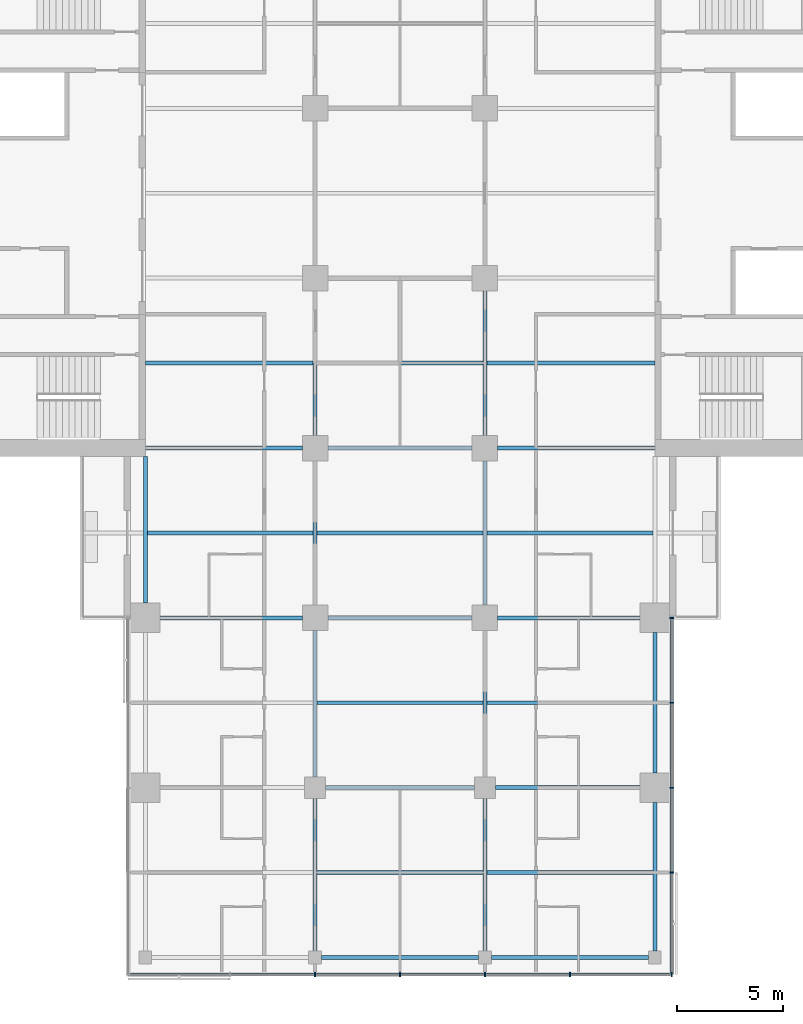
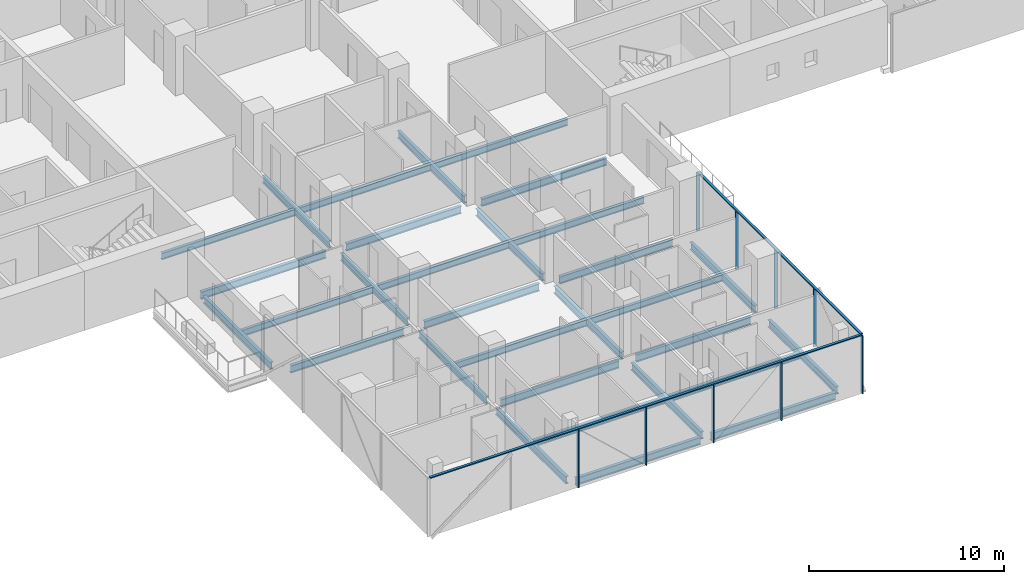
# One storey, part 4 of 29: 31 beams, 11 members, 2 elements without a shape of their own.
"""IFC4 building model written with IfcOpenShell, lengths in metres."""

from ifc_helpers import new_model, si_unit, direction, frame, origin, origin_2d, place, context, subcontext, project, spatial, rectangle, i_section, extrude, material, material_profile, profile_set, type_object, element, aggregate, save


model = new_model("IFC4")

# Units and contexts
model_context = context("Model", 3, precision=1e-05, world=origin(), true_north=direction((0.0, 1.0)))
body_context = subcontext(model_context, "Body", "Model", "MODEL_VIEW")
ifc_project = project(units=[si_unit("LENGTHUNIT", "METRE"), si_unit("AREAUNIT", "SQUARE_METRE"), si_unit("VOLUMEUNIT", "CUBIC_METRE"), si_unit("PLANEANGLEUNIT", "RADIAN"), si_unit("MASSUNIT", "GRAM", prefix="KILO")], contexts=[model_context])

# Site, building, storey
site_placement = place(None, origin())
site = spatial("IfcSite", under=ifc_project, at=site_placement, CompositionType="ELEMENT")
building_placement = place(site_placement, origin())
building = spatial("IfcBuilding", under=site, at=building_placement, Name="Crosswind Convention Tower", CompositionType="ELEMENT")
storey_placement = place(building_placement, frame((0.0, 0.0, 57.199951171875)))
storey = spatial("IfcBuildingStorey", under=building, at=storey_placement, Name="L08", CompositionType="ELEMENT", Elevation=57.199951171875)

# Beams
ifc_material_1 = material(Name="Steel S355", Category="steel")
ifc_material_profile_1 = material_profile(ifc_material_1, i_section(OverallWidth=0.1904296875, OverallDepth=0.457275390625, WebThickness=0.009033203125, FlangeThickness=0.014404296875, FilletRadius=0.01025390625, at=origin_2d()), Name="UB 457x191x75")
ifc_profile_set_1 = profile_set([ifc_material_profile_1], Name="Steel S355")
beam_type_1 = type_object("IfcBeamType", Name="Edge beam UB 457x191x75", PredefinedType="SPANDREL", material=ifc_profile_set_1)
beam_1_placement = place(storey_placement, frame((113.0, 80.699951171875, -0.508544921875), z_axis=(0.0, 1.0, 0.0), x_axis=(-1.0, 0.0, 0.0)))
element("IfcBeam", 1, at=beam_1_placement, inside=storey, type_object=beam_type_1, Name="B17 L08 edge beam 8", PredefinedType="SPANDREL", context=body_context, shape_type="SweptSolid", body=[
    extrude(i_section(OverallWidth=0.1904296875, OverallDepth=0.457275390625, WebThickness=0.009033203125, FlangeThickness=0.014404296875, FilletRadius=0.01025390625, at=origin_2d()), origin(), (0.0, 0.0, 1.0), 6.900146484375),
])
for number, where, z_axis, x_axis, name in (
    (2, (121.300048828125, 64.0, -0.508544921875), (1.0, 0.0, 0.0), (0.0, 1.0, 0.0), "B17 L08 edge beam 14"),
    (3, (129.300048828125, 64.0, -0.508544921875), (1.0, 0.0, 0.0), (0.0, 1.0, 0.0), "B17 L08 edge beam 16"),
):
    element("IfcBeam", number, at=place(storey_placement, frame(where, z_axis=z_axis, x_axis=x_axis)), inside=storey, type_object=beam_type_1, Name=name, PredefinedType="SPANDREL", context=body_context, shape_type="SweptSolid", body=[
        extrude(i_section(OverallWidth=0.1904296875, OverallDepth=0.457275390625, WebThickness=0.009033203125, FlangeThickness=0.014404296875, FilletRadius=0.01025390625, at=origin_2d()), origin(), (0.0, 0.0, 1.0), 7.39990234375),
    ])
beam_2_placement = place(storey_placement, frame((137.0, 64.300048828125, -0.508544921875), z_axis=(0.0, 1.0, 0.0), x_axis=(-1.0, 0.0, 0.0)))
element("IfcBeam", 4, at=beam_2_placement, inside=storey, type_object=beam_type_1, Name="B17 L08 edge beam 18", PredefinedType="SPANDREL", context=body_context, shape_type="SweptSolid", body=[
    extrude(i_section(OverallWidth=0.1904296875, OverallDepth=0.457275390625, WebThickness=0.009033203125, FlangeThickness=0.014404296875, FilletRadius=0.01025390625, at=origin_2d()), origin(), (0.0, 0.0, 1.0), 7.0),
])
beam_3_placement = place(storey_placement, frame((137.0, 72.699951171875, -0.508544921875), z_axis=(0.0, 1.0, 0.0), x_axis=(-1.0, 0.0, 0.0)))
element("IfcBeam", 5, at=beam_3_placement, inside=storey, type_object=beam_type_1, Name="B17 L08 edge beam 19", PredefinedType="SPANDREL", context=body_context, shape_type="SweptSolid", body=[
    extrude(i_section(OverallWidth=0.1904296875, OverallDepth=0.457275390625, WebThickness=0.009033203125, FlangeThickness=0.014404296875, FilletRadius=0.01025390625, at=origin_2d()), origin(), (0.0, 0.0, 1.0), 6.60009765625),
])
ifc_material_profile_2 = material_profile(ifc_material_1, i_section(OverallWidth=0.19140625, OverallDepth=0.460205078125, WebThickness=0.010009765625, FlangeThickness=0.01611328125, FilletRadius=0.01025390625, at=origin_2d()), Name="UB 457x191x82")
ifc_profile_set_2 = profile_set([ifc_material_profile_2], Name="Steel S355")
beam_type_2 = type_object("IfcBeamType", Name="Girder UB 457x191x82", PredefinedType="BEAM", material=ifc_profile_set_2)
beam_4_placement = place(storey_placement, frame((113.699951171875, 80.0, -0.510009765625), z_axis=(1.0, 0.0, 0.0), x_axis=(0.0, 1.0, 0.0)))
element("IfcBeam", 6, at=beam_4_placement, inside=storey, type_object=beam_type_2, Name="B3 L08 girder 2", PredefinedType="BEAM", context=body_context, shape_type="SweptSolid", body=[
    extrude(i_section(OverallWidth=0.19140625, OverallDepth=0.460205078125, WebThickness=0.010009765625, FlangeThickness=0.01611328125, FilletRadius=0.01025390625, at=origin_2d()), origin(), (0.0, 0.0, 1.0), 6.699951171875),
])
beam_5_placement = place(storey_placement, frame((121.0, 64.300048828125, -0.510009765625), z_axis=(0.0, 1.0, 0.0), x_axis=(-1.0, 0.0, 0.0)))
element("IfcBeam", 7, at=beam_5_placement, inside=storey, type_object=beam_type_2, Name="B3 L08 girder 5", PredefinedType="BEAM", context=body_context, shape_type="SweptSolid", body=[
    extrude(i_section(OverallWidth=0.19140625, OverallDepth=0.460205078125, WebThickness=0.010009765625, FlangeThickness=0.01611328125, FilletRadius=0.01025390625, at=origin_2d()), origin(), (0.0, 0.0, 1.0), 7.199951171875),
])
beam_6_placement = place(storey_placement, frame((121.0, 72.5, -0.510009765625), z_axis=(0.0, 1.0, 0.0), x_axis=(-1.0, 0.0, 0.0)))
element("IfcBeam", 8, at=beam_6_placement, inside=storey, type_object=beam_type_2, Name="B3 L08 girder 6", PredefinedType="BEAM", context=body_context, shape_type="SweptSolid", body=[
    extrude(i_section(OverallWidth=0.19140625, OverallDepth=0.460205078125, WebThickness=0.010009765625, FlangeThickness=0.01611328125, FilletRadius=0.01025390625, at=origin_2d()), origin(), (0.0, 0.0, 1.0), 6.89990234375),
])
for number, where, z_axis, x_axis, name in (
    (9, (121.0, 80.60009765625, -0.510009765625), (0.0, 1.0, 0.0), (-1.0, 0.0, 0.0), "B3 L08 girder 7"),
    (10, (121.0, 88.60009765625, -0.510009765625), (0.0, 1.0, 0.0), (-1.0, 0.0, 0.0), "B3 L08 girder 8"),
):
    element("IfcBeam", number, at=place(storey_placement, frame(where, z_axis=z_axis, x_axis=x_axis)), inside=storey, type_object=beam_type_2, Name=name, PredefinedType="BEAM", context=body_context, shape_type="SweptSolid", body=[
        extrude(i_section(OverallWidth=0.19140625, OverallDepth=0.460205078125, WebThickness=0.010009765625, FlangeThickness=0.01611328125, FilletRadius=0.01025390625, at=origin_2d()), origin(), (0.0, 0.0, 1.0), 6.7998046875),
    ])
beam_7_placement = place(storey_placement, frame((121.5, 72.0, -0.510009765625), z_axis=(1.0, 0.0, 0.0), x_axis=(0.0, 1.0, 0.0)))
element("IfcBeam", 11, at=beam_7_placement, inside=storey, type_object=beam_type_2, Name="B3 L08 girder 14", PredefinedType="BEAM", context=body_context, shape_type="SweptSolid", body=[
    extrude(i_section(OverallWidth=0.19140625, OverallDepth=0.460205078125, WebThickness=0.010009765625, FlangeThickness=0.01611328125, FilletRadius=0.01025390625, at=origin_2d()), origin(), (0.0, 0.0, 1.0), 7.0),
])
for number, where, z_axis, x_axis, name in (
    (12, (121.60009765625, 80.0, -0.510009765625), (1.0, 0.0, 0.0), (0.0, 1.0, 0.0), "B3 L08 girder 16"),
    (13, (121.60009765625, 88.0, -0.510009765625), (1.0, 0.0, 0.0), (0.0, 1.0, 0.0), "B3 L08 girder 17"),
):
    element("IfcBeam", number, at=place(storey_placement, frame(where, z_axis=z_axis, x_axis=x_axis)), inside=storey, type_object=beam_type_2, Name=name, PredefinedType="BEAM", context=body_context, shape_type="SweptSolid", body=[
        extrude(i_section(OverallWidth=0.19140625, OverallDepth=0.460205078125, WebThickness=0.010009765625, FlangeThickness=0.01611328125, FilletRadius=0.01025390625, at=origin_2d()), origin(), (0.0, 0.0, 1.0), 6.7998046875),
    ])
beam_8_placement = place(storey_placement, frame((129.0, 64.300048828125, -0.510009765625), z_axis=(0.0, 1.0, 0.0), x_axis=(-1.0, 0.0, 0.0)))
element("IfcBeam", 14, at=beam_8_placement, inside=storey, type_object=beam_type_2, Name="B3 L08 girder 22", PredefinedType="BEAM", context=body_context, shape_type="SweptSolid", body=[
    extrude(i_section(OverallWidth=0.19140625, OverallDepth=0.460205078125, WebThickness=0.010009765625, FlangeThickness=0.01611328125, FilletRadius=0.01025390625, at=origin_2d()), origin(), (0.0, 0.0, 1.0), 7.199951171875),
])
beam_9_placement = place(storey_placement, frame((129.0, 72.5, -0.510009765625), z_axis=(0.0, 1.0, 0.0), x_axis=(-1.0, 0.0, 0.0)))
element("IfcBeam", 15, at=beam_9_placement, inside=storey, type_object=beam_type_2, Name="B3 L08 girder 23", PredefinedType="BEAM", context=body_context, shape_type="SweptSolid", body=[
    extrude(i_section(OverallWidth=0.19140625, OverallDepth=0.460205078125, WebThickness=0.010009765625, FlangeThickness=0.01611328125, FilletRadius=0.01025390625, at=origin_2d()), origin(), (0.0, 0.0, 1.0), 6.89990234375),
])
for number, where, z_axis, x_axis, name in (
    (16, (129.0, 80.60009765625, -0.510009765625), (0.0, 1.0, 0.0), (-1.0, 0.0, 0.0), "B3 L08 girder 24"),
    (17, (129.0, 88.60009765625, -0.510009765625), (0.0, 1.0, 0.0), (-1.0, 0.0, 0.0), "B3 L08 girder 25"),
):
    element("IfcBeam", number, at=place(storey_placement, frame(where, z_axis=z_axis, x_axis=x_axis)), inside=storey, type_object=beam_type_2, Name=name, PredefinedType="BEAM", context=body_context, shape_type="SweptSolid", body=[
        extrude(i_section(OverallWidth=0.19140625, OverallDepth=0.460205078125, WebThickness=0.010009765625, FlangeThickness=0.01611328125, FilletRadius=0.01025390625, at=origin_2d()), origin(), (0.0, 0.0, 1.0), 6.7998046875),
    ])
beam_10_placement = place(storey_placement, frame((129.5, 72.0, -0.510009765625), z_axis=(1.0, 0.0, 0.0), x_axis=(0.0, 1.0, 0.0)))
element("IfcBeam", 18, at=beam_10_placement, inside=storey, type_object=beam_type_2, Name="B3 L08 girder 31", PredefinedType="BEAM", context=body_context, shape_type="SweptSolid", body=[
    extrude(i_section(OverallWidth=0.19140625, OverallDepth=0.460205078125, WebThickness=0.010009765625, FlangeThickness=0.01611328125, FilletRadius=0.01025390625, at=origin_2d()), origin(), (0.0, 0.0, 1.0), 6.800048828125),
])
beam_11_placement = place(storey_placement, frame((129.60009765625, 80.0, -0.510009765625), z_axis=(1.0, 0.0, 0.0), x_axis=(0.0, 1.0, 0.0)))
element("IfcBeam", 19, at=beam_11_placement, inside=storey, type_object=beam_type_2, Name="B3 L08 girder 33", PredefinedType="BEAM", context=body_context, shape_type="SweptSolid", body=[
    extrude(i_section(OverallWidth=0.19140625, OverallDepth=0.460205078125, WebThickness=0.010009765625, FlangeThickness=0.01611328125, FilletRadius=0.01025390625, at=origin_2d()), origin(), (0.0, 0.0, 1.0), 6.699951171875),
])
ifc_material_profile_3 = material_profile(ifc_material_1, i_section(OverallWidth=0.19189453125, OverallDepth=0.463623046875, WebThickness=0.010498046875, FlangeThickness=0.017578125, FilletRadius=0.01025390625, at=origin_2d()), Name="UB 457x191x90")
ifc_profile_set_3 = profile_set([ifc_material_profile_3], Name="Steel S355")
beam_type_3 = type_object("IfcBeamType", Name="Girder at core wall UB 457x191x90", PredefinedType="BEAM", material=ifc_profile_set_3)
for number, where, z_axis, x_axis, name in (
    (20, (113.0, 88.0, -0.51171875), (1.0, 0.0, 0.0), (0.0, 1.0, 0.0), "B24 L08 girder at core wall 3"),
    (21, (129.60009765625, 88.0, -0.51171875), (1.0, 0.0, 0.0), (0.0, 1.0, 0.0), "B24 L08 girder at core wall 7"),
):
    element("IfcBeam", number, at=place(storey_placement, frame(where, z_axis=z_axis, x_axis=x_axis)), inside=storey, type_object=beam_type_3, Name=name, PredefinedType="BEAM", context=body_context, shape_type="SweptSolid", body=[
        extrude(i_section(OverallWidth=0.19189453125, OverallDepth=0.463623046875, WebThickness=0.010498046875, FlangeThickness=0.017578125, FilletRadius=0.01025390625, at=origin_2d()), origin(), (0.0, 0.0, 1.0), 7.39990234375),
    ])

# Curtain wall, members
ifc_material_2 = material(Name="Aluminium unitised curtain wall", Category="aluminium")
curtain_wall_type = type_object("IfcCurtainWallType", Name="HOTEL UNITISED WALL 200", PredefinedType="USERDEFINED", material=ifc_material_2)
curtain_wall_1_placement = place(storey_placement, origin())
curtain_wall_1 = element("IfcCurtainWall", 22, at=curtain_wall_1_placement, inside=storey, type_object=curtain_wall_type, Name="CW2 L08 S-TIP 1", ObjectType="UNITISED", PredefinedType="USERDEFINED")
ifc_material_3 = material(Name="Aluminium mullion", Category="aluminium")
ifc_material_profile_4 = material_profile(ifc_material_3, rectangle(XDim=0.199951171875, YDim=0.06494140625, at=origin_2d()), Name="AL 200X65")
ifc_profile_set_4 = profile_set([ifc_material_profile_4], Name="Aluminium mullion")
member_type_1 = type_object("IfcMemberType", Name="MULLION 65X200", PredefinedType="MULLION", material=ifc_profile_set_4)
member_1_placement = place(storey_placement, frame((121.0, 63.199951171875, -0.280029296875), z_axis=(0.0, 0.0, 1.0), x_axis=(0.0, -1.0, 0.0)))
member_1 = element("IfcMember", 23, at=member_1_placement, type_object=member_type_1, Name="CW2 mullion 3", PredefinedType="MULLION", context=body_context, shape_type="SweptSolid", body=[
    extrude(rectangle(XDim=0.199951171875, YDim=0.06494140625, at=origin_2d()), origin(), (0.0, 0.0, 1.0), 3.635009765625),
])
member_2_placement = place(storey_placement, frame((125.0, 63.199951171875, -0.280029296875), z_axis=(0.0, 0.0, 1.0), x_axis=(0.0, -1.0, 0.0)))
member_2 = element("IfcMember", 24, at=member_2_placement, type_object=member_type_1, Name="CW2 mullion 4", PredefinedType="MULLION", context=body_context, shape_type="SweptSolid", body=[
    extrude(rectangle(XDim=0.199951171875, YDim=0.06494140625, at=origin_2d()), origin(), (0.0, 0.0, 1.0), 3.635009765625),
])
member_3_placement = place(storey_placement, frame((129.0, 63.199951171875, -0.280029296875), z_axis=(0.0, 0.0, 1.0), x_axis=(0.0, -1.0, 0.0)))
member_3 = element("IfcMember", 25, at=member_3_placement, type_object=member_type_1, Name="CW2 mullion 5", PredefinedType="MULLION", context=body_context, shape_type="SweptSolid", body=[
    extrude(rectangle(XDim=0.199951171875, YDim=0.06494140625, at=origin_2d()), origin(), (0.0, 0.0, 1.0), 3.635009765625),
])
member_4_placement = place(storey_placement, frame((133.0, 63.199951171875, -0.280029296875), z_axis=(0.0, 0.0, 1.0), x_axis=(0.0, -1.0, 0.0)))
member_4 = element("IfcMember", 26, at=member_4_placement, type_object=member_type_1, Name="CW2 mullion 6", PredefinedType="MULLION", context=body_context, shape_type="SweptSolid", body=[
    extrude(rectangle(XDim=0.199951171875, YDim=0.06494140625, at=origin_2d()), origin(), (0.0, 0.0, 1.0), 3.635009765625),
])
member_5_placement = place(storey_placement, frame((137.800048828125, 63.199951171875, -0.280029296875), z_axis=(0.0, 0.0, 1.0), x_axis=(0.0, -1.0, 0.0)))
member_5 = element("IfcMember", 27, at=member_5_placement, type_object=member_type_1, Name="CW2 mullion 7", PredefinedType="MULLION", context=body_context, shape_type="SweptSolid", body=[
    extrude(rectangle(XDim=0.199951171875, YDim=0.06494140625, at=origin_2d()), origin(), (0.0, 0.0, 1.0), 3.635009765625),
])

curtain_wall_2_placement = place(storey_placement, origin())
curtain_wall_2 = element("IfcCurtainWall", 28, at=curtain_wall_2_placement, inside=storey, type_object=curtain_wall_type, Name="CW2 L08 S-E 1", ObjectType="UNITISED", PredefinedType="USERDEFINED")
member_6_placement = place(storey_placement, frame((137.800048828125, 68.0, -0.280029296875), z_axis=(0.0, 0.0, 1.0), x_axis=(1.0, 0.0, 0.0)))
member_6 = element("IfcMember", 29, at=member_6_placement, type_object=member_type_1, Name="CW2 mullion 2", PredefinedType="MULLION", context=body_context, shape_type="SweptSolid", body=[
    extrude(rectangle(XDim=0.199951171875, YDim=0.06494140625, at=origin_2d()), origin(), (0.0, 0.0, 1.0), 3.635009765625),
])
member_7_placement = place(storey_placement, frame((137.800048828125, 72.0, -0.280029296875), z_axis=(0.0, 0.0, 1.0), x_axis=(1.0, 0.0, 0.0)))
member_7 = element("IfcMember", 30, at=member_7_placement, type_object=member_type_1, Name="CW2 mullion 3", PredefinedType="MULLION", context=body_context, shape_type="SweptSolid", body=[
    extrude(rectangle(XDim=0.199951171875, YDim=0.06494140625, at=origin_2d()), origin(), (0.0, 0.0, 1.0), 3.635009765625),
])
member_8_placement = place(storey_placement, frame((137.800048828125, 76.0, -0.280029296875), z_axis=(0.0, 0.0, 1.0), x_axis=(1.0, 0.0, 0.0)))
member_8 = element("IfcMember", 31, at=member_8_placement, type_object=member_type_1, Name="CW2 mullion 4", PredefinedType="MULLION", context=body_context, shape_type="SweptSolid", body=[
    extrude(rectangle(XDim=0.199951171875, YDim=0.06494140625, at=origin_2d()), origin(), (0.0, 0.0, 1.0), 3.635009765625),
])
member_9_placement = place(storey_placement, frame((137.800048828125, 80.0, -0.280029296875), z_axis=(0.0, 0.0, 1.0), x_axis=(1.0, 0.0, 0.0)))
member_9 = element("IfcMember", 32, at=member_9_placement, type_object=member_type_1, Name="CW2 mullion 5", PredefinedType="MULLION", context=body_context, shape_type="SweptSolid", body=[
    extrude(rectangle(XDim=0.199951171875, YDim=0.06494140625, at=origin_2d()), origin(), (0.0, 0.0, 1.0), 3.635009765625),
])

# Beams
ifc_material_profile_5 = material_profile(ifc_material_1, i_section(OverallWidth=0.177734375, OverallDepth=0.406494140625, WebThickness=0.0078125, FlangeThickness=0.0126953125, FilletRadius=0.01025390625, at=origin_2d()), Name="UB 406x178x60")
ifc_profile_set_5 = profile_set([ifc_material_profile_5], Name="Steel S355")
beam_type_4 = type_object("IfcBeamType", Name="Secondary beam UB 406x178x60", PredefinedType="JOIST", material=ifc_profile_set_5)
beam_12_placement = place(storey_placement, frame((113.0, 92.0, -0.483154296875), z_axis=(1.0, 0.0, 0.0), x_axis=(0.0, 1.0, 0.0)))
element("IfcBeam", 33, at=beam_12_placement, inside=storey, type_object=beam_type_4, Name="B10 L08 secondary beam 4", PredefinedType="JOIST", context=body_context, shape_type="SweptSolid", body=[
    extrude(i_section(OverallWidth=0.177734375, OverallDepth=0.406494140625, WebThickness=0.0078125, FlangeThickness=0.0126953125, FilletRadius=0.01025390625, at=origin_2d()), origin(), (0.0, 0.0, 1.0), 7.904296875),
])
beam_13_placement = place(storey_placement, frame((113.09521484375, 84.0, -0.483154296875), z_axis=(1.0, 0.0, 0.0), x_axis=(0.0, 1.0, 0.0)))
element("IfcBeam", 34, at=beam_13_placement, inside=storey, type_object=beam_type_4, Name="B10 L08 secondary beam 9", PredefinedType="JOIST", context=body_context, shape_type="SweptSolid", body=[
    extrude(i_section(OverallWidth=0.177734375, OverallDepth=0.406494140625, WebThickness=0.0078125, FlangeThickness=0.0126953125, FilletRadius=0.01025390625, at=origin_2d()), origin(), (0.0, 0.0, 1.0), 7.80908203125),
])
for number, where, z_axis, x_axis, name in (
    (35, (121.095703125, 68.0, -0.483154296875), (1.0, 0.0, 0.0), (0.0, 1.0, 0.0), "B10 L08 secondary beam 13"),
    (36, (121.095703125, 76.0, -0.483154296875), (1.0, 0.0, 0.0), (0.0, 1.0, 0.0), "B10 L08 secondary beam 14"),
    (37, (121.095703125, 84.0, -0.483154296875), (1.0, 0.0, 0.0), (0.0, 1.0, 0.0), "B10 L08 secondary beam 15"),
    (38, (121.095703125, 92.0, -0.483154296875), (1.0, 0.0, 0.0), (0.0, 1.0, 0.0), "B10 L08 secondary beam 16"),
):
    element("IfcBeam", number, at=place(storey_placement, frame(where, z_axis=z_axis, x_axis=x_axis)), inside=storey, type_object=beam_type_4, Name=name, PredefinedType="JOIST", context=body_context, shape_type="SweptSolid", body=[
        extrude(i_section(OverallWidth=0.177734375, OverallDepth=0.406494140625, WebThickness=0.0078125, FlangeThickness=0.0126953125, FilletRadius=0.01025390625, at=origin_2d()), origin(), (0.0, 0.0, 1.0), 7.80859375),
    ])
for number, where, z_axis, x_axis, name in (
    (39, (129.095703125, 68.0, -0.483154296875), (1.0, 0.0, 0.0), (0.0, 1.0, 0.0), "B10 L08 secondary beam 22"),
    (40, (129.095703125, 76.0, -0.483154296875), (1.0, 0.0, 0.0), (0.0, 1.0, 0.0), "B10 L08 secondary beam 23"),
    (41, (129.095703125, 84.0, -0.483154296875), (1.0, 0.0, 0.0), (0.0, 1.0, 0.0), "B10 L08 secondary beam 24"),
):
    element("IfcBeam", number, at=place(storey_placement, frame(where, z_axis=z_axis, x_axis=x_axis)), inside=storey, type_object=beam_type_4, Name=name, PredefinedType="JOIST", context=body_context, shape_type="SweptSolid", body=[
        extrude(i_section(OverallWidth=0.177734375, OverallDepth=0.406494140625, WebThickness=0.0078125, FlangeThickness=0.0126953125, FilletRadius=0.01025390625, at=origin_2d()), origin(), (0.0, 0.0, 1.0), 7.80908203125),
    ])
beam_14_placement = place(storey_placement, frame((129.095703125, 92.0, -0.483154296875), z_axis=(1.0, 0.0, 0.0), x_axis=(0.0, 1.0, 0.0)))
element("IfcBeam", 42, at=beam_14_placement, inside=storey, type_object=beam_type_4, Name="B10 L08 secondary beam 25", PredefinedType="JOIST", context=body_context, shape_type="SweptSolid", body=[
    extrude(i_section(OverallWidth=0.177734375, OverallDepth=0.406494140625, WebThickness=0.0078125, FlangeThickness=0.0126953125, FilletRadius=0.01025390625, at=origin_2d()), origin(), (0.0, 0.0, 1.0), 7.904296875),
])

# Member
ifc_material_4 = material(Name="Aluminium transom", Category="aluminium")
ifc_material_profile_6 = material_profile(ifc_material_4, rectangle(XDim=0.14990234375, YDim=0.06494140625, at=origin_2d()), Name="AL 150X65")
ifc_profile_set_6 = profile_set([ifc_material_profile_6], Name="Aluminium transom")
member_type_2 = type_object("IfcMemberType", Name="TRANSOM 65X150", PredefinedType="USERDEFINED", material=ifc_profile_set_6)
member_10_placement = place(storey_placement, frame((112.232421875, 63.199951171875, 3.387451171875), z_axis=(1.0, 0.0, 0.0), x_axis=(0.0, 1.0, 0.0)))
member_10 = element("IfcMember", 43, at=member_10_placement, type_object=member_type_2, Name="CW2 transom", ObjectType="TRANSOM", PredefinedType="USERDEFINED", context=body_context, shape_type="SweptSolid", body=[
    extrude(rectangle(XDim=0.14990234375, YDim=0.06494140625, at=origin_2d()), origin(), (0.0, 0.0, 1.0), 25.53515625),
])

aggregate(curtain_wall_1, [member_1, member_2, member_3, member_4, member_5, member_10])

member_11_placement = place(storey_placement, frame((137.800048828125, 63.232421875, 3.387451171875), z_axis=(0.0, 1.0, 0.0), x_axis=(-1.0, 0.0, 0.0)))
member_11 = element("IfcMember", 44, at=member_11_placement, type_object=member_type_2, Name="CW2 transom", ObjectType="TRANSOM", PredefinedType="USERDEFINED", context=body_context, shape_type="SweptSolid", body=[
    extrude(rectangle(XDim=0.14990234375, YDim=0.06494140625, at=origin_2d()), origin(), (0.0, 0.0, 1.0), 16.735107421875),
])

aggregate(curtain_wall_2, [member_6, member_7, member_8, member_9, member_11])

save(model, "model.ifc")
